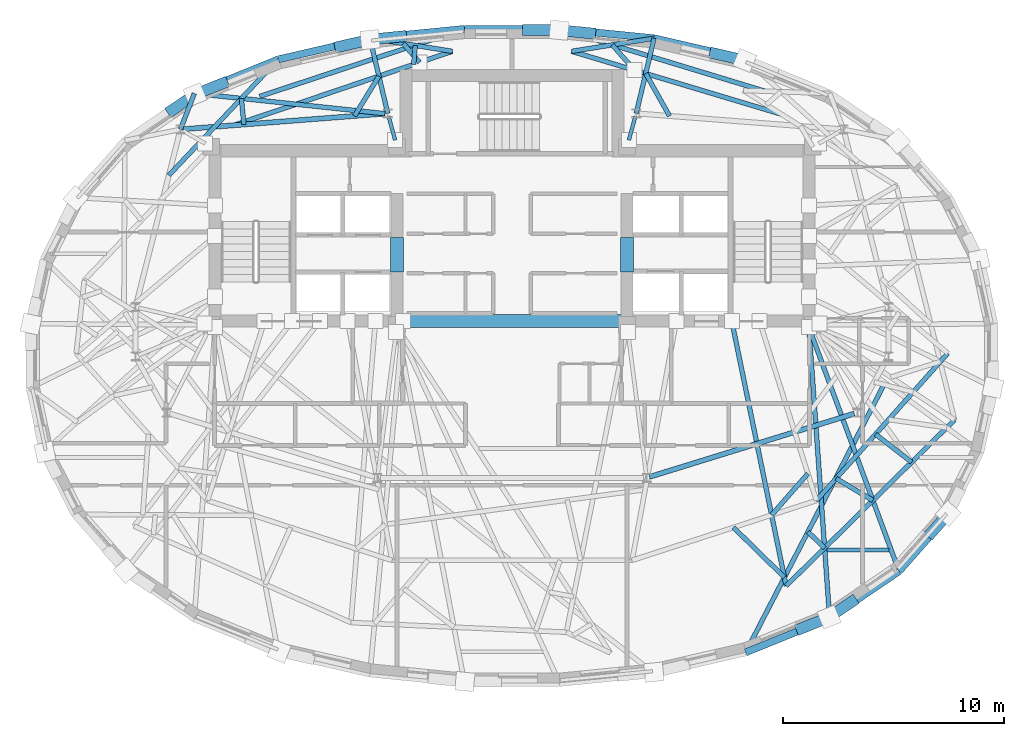
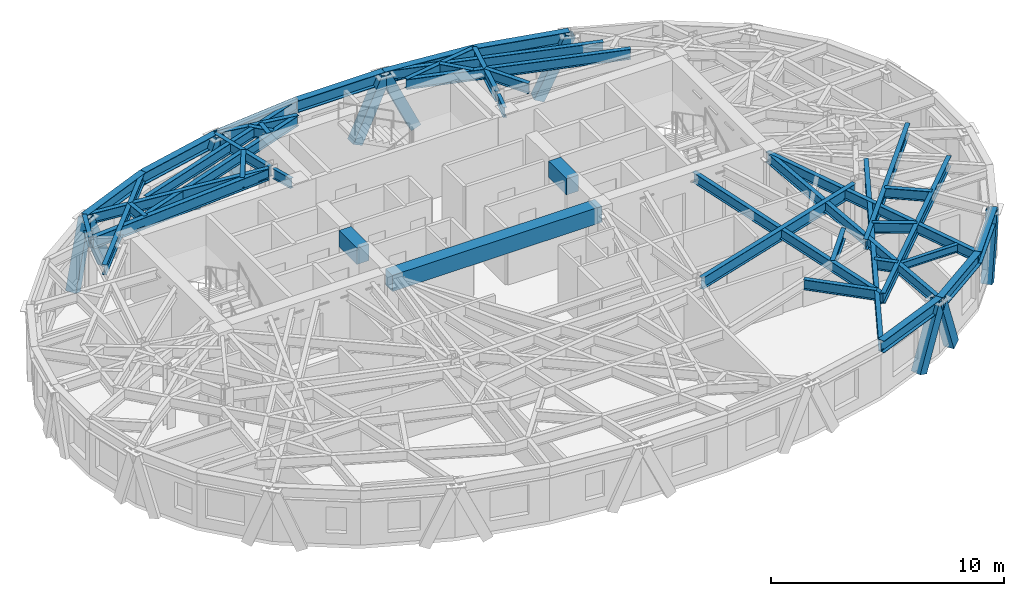
# One storey, part 3 of 13: 45 beams, 10 members.
"""IFC4 building model written with IfcOpenShell, lengths in metres."""

from ifc_helpers import new_model, si_unit, direction, frame, origin, origin_2d, place, context, subcontext, project, spatial, rectangle, hollow_rectangle, i_section, extrude, material, material_profile, profile_set, type_object, element, save


model = new_model("IFC4")

# Units and contexts
model_context = context("Model", 3, precision=1e-05, world=origin(), true_north=direction((0.0, 1.0)))
body_context = subcontext(model_context, "Body", "Model", "MODEL_VIEW")
ifc_project = project(units=[si_unit("LENGTHUNIT", "METRE"), si_unit("AREAUNIT", "SQUARE_METRE"), si_unit("VOLUMEUNIT", "CUBIC_METRE"), si_unit("PLANEANGLEUNIT", "RADIAN"), si_unit("MASSUNIT", "GRAM", prefix="KILO")], contexts=[model_context])

# Site, building, storey
site_placement = place(None, origin())
site = spatial("IfcSite", under=ifc_project, at=site_placement, CompositionType="ELEMENT")
building_placement = place(site_placement, origin())
building = spatial("IfcBuilding", under=site, at=building_placement, Name="Keldmark Tower", CompositionType="ELEMENT")
storey_placement = place(building_placement, frame((0.0, 0.0, 241.5)))
storey = spatial("IfcBuildingStorey", under=building, at=storey_placement, Name="L68", CompositionType="ELEMENT", Elevation=241.5)

# Beams
ifc_material_1 = material(Name="Steel ASTM A992 Grade 50", Category="steel")
ifc_material_profile_1 = material_profile(ifc_material_1, i_section(OverallWidth=0.177978515625, OverallDepth=0.403076171875, WebThickness=0.007568359375, FlangeThickness=0.010986328125, at=origin_2d()), Name="W16X36")
ifc_profile_set_1 = profile_set([ifc_material_profile_1], Name="Steel ASTM A992 Grade 50")
beam_type_1 = type_object("IfcBeamType", Name="Composite Floor Joist W16X36", PredefinedType="JOIST", material=ifc_profile_set_1)
beam_1_placement = place(storey_placement, frame((14.241455078125, -8.780029296875, 2.7685546875), z_axis=(1.0, 0.0, 0.0), x_axis=(0.0, 1.0, 0.0)))
element("IfcBeam", 1, at=beam_1_placement, inside=storey, type_object=beam_type_1, Name="L68 Composite Floor Joist J02", PredefinedType="JOIST", context=body_context, shape_type="SweptSolid", body=[
    extrude(i_section(OverallWidth=0.177978515625, OverallDepth=0.403076171875, WebThickness=0.007568359375, FlangeThickness=0.010986328125, at=origin_2d()), origin(), (0.0, 0.0, 1.0), 2.805419921875),
])
ifc_material_2 = material(Name="Concrete C50/60", Category="concrete")
ifc_material_profile_2 = material_profile(ifc_material_2, rectangle(XDim=0.60009765625, YDim=0.85009765625, at=origin_2d()), Name="RCB600X850")
ifc_profile_set_2 = profile_set([ifc_material_profile_2], Name="Concrete C50/60")
beam_type_2 = type_object("IfcBeamType", Name="Core Coupling Beam RCB600X850", PredefinedType="USERDEFINED", material=ifc_profile_set_2)
for number, where, z_axis, x_axis, name in (
    (2, (-5.199951171875, 3.800048828125, 2.544921875), (0.0, 1.0, 0.0), (-1.0, 0.0, 0.0), "L68 West Core Coupling Beam"),
    (3, (5.199951171875, 3.800048828125, 2.544921875), (0.0, 1.0, 0.0), (-1.0, 0.0, 0.0), "L68 East Core Coupling Beam"),
):
    element("IfcBeam", number, at=place(storey_placement, frame(where, z_axis=z_axis, x_axis=x_axis)), inside=storey, type_object=beam_type_2, Name=name, ObjectType="COUPLING BEAM", PredefinedType="USERDEFINED", context=body_context, shape_type="SweptSolid", body=[
        extrude(rectangle(XDim=0.60009765625, YDim=0.85009765625, at=origin_2d()), origin(), (0.0, 0.0, 1.0), 1.550048828125),
    ])
beam_2_placement = place(storey_placement, frame((-5.199951171875, 1.574951171875, 2.544921875), z_axis=(1.0, 0.0, 0.0), x_axis=(0.0, 1.0, 0.0)))
element("IfcBeam", 4, at=beam_2_placement, inside=storey, type_object=beam_type_2, Name="L68 Central South Core Coupling Beam", ObjectType="COUPLING BEAM", PredefinedType="USERDEFINED", context=body_context, shape_type="SweptSolid", body=[
    extrude(rectangle(XDim=0.60009765625, YDim=0.85009765625, at=origin_2d()), origin(), (0.0, 0.0, 1.0), 10.39990234375),
])

# Members
ifc_material_3 = material(Name="Steel ASTM A572 Grade 50", Category="steel")
ifc_material_profile_3 = material_profile(ifc_material_3, hollow_rectangle(XDim=0.5, YDim=0.5, WallThickness=0.030029296875, at=origin_2d()), Name="BOX500X500X30")
ifc_profile_set_3 = profile_set([ifc_material_profile_3], Name="Steel ASTM A572 Grade 50")
member_type = type_object("IfcMemberType", Name="Diagrid Upper Brace BOX500X500X30", PredefinedType="BRACE", material=ifc_profile_set_3)
member_1_placement = place(storey_placement, frame((9.160400390625, 13.6748046875, -0.260009765625), z_axis=(0.4040850409, -0.09321742591, 0.909959225036), x_axis=(0.224784026434, 0.974408611138, 0.0)))
element("IfcMember", 5, at=member_1_placement, inside=storey, type_object=member_type, Name="L68 Perimeter Diagrid Brace 03B", PredefinedType="BRACE", context=body_context, shape_type="SweptSolid", body=[
    extrude(hollow_rectangle(XDim=0.5, YDim=0.5, WallThickness=0.030029296875, at=origin_2d()), origin(), (0.0, 0.0, 1.0), 3.41796875),
])
member_2_placement = place(storey_placement, frame((3.556640625, 14.590087890625, -0.260009765625), z_axis=(-0.416434580065, 0.041279853083, 0.908228062909), x_axis=(-0.09864340487, -0.995122846022, 0.0)))
element("IfcMember", 6, at=member_2_placement, inside=storey, type_object=member_type, Name="L68 Perimeter Diagrid Brace 04A", PredefinedType="BRACE", context=body_context, shape_type="SweptSolid", body=[
    extrude(hollow_rectangle(XDim=0.5, YDim=0.5, WallThickness=0.030029296875, at=origin_2d()), origin(), (0.0, 0.0, 1.0), 3.42431640625),
])
member_3_placement = place(storey_placement, frame((0.710205078125, 14.72900390625, -0.260009765625), z_axis=(0.418203376234, 0.0, 0.908353420264), x_axis=(0.0, 1.0, 0.0)))
element("IfcMember", 7, at=member_3_placement, inside=storey, type_object=member_type, Name="L68 Perimeter Diagrid Brace 04B", PredefinedType="BRACE", context=body_context, shape_type="SweptSolid", body=[
    extrude(hollow_rectangle(XDim=0.5, YDim=0.5, WallThickness=0.030029296875, at=origin_2d()), origin(), (0.0, 0.0, 1.0), 3.423828125),
])
member_4_placement = place(storey_placement, frame((-4.994140625, 14.446533203125, -0.260009765625), z_axis=(-0.416494733326, -0.041207455642, 0.908203767175), x_axis=(0.098457996907, -0.99514120749, 0.0)))
element("IfcMember", 8, at=member_4_placement, inside=storey, type_object=member_type, Name="L68 Perimeter Diagrid Brace 05A", PredefinedType="BRACE", context=body_context, shape_type="SweptSolid", body=[
    extrude(hollow_rectangle(XDim=0.5, YDim=0.5, WallThickness=0.030029296875, at=origin_2d()), origin(), (0.0, 0.0, 1.0), 3.424560546875),
])
member_5_placement = place(storey_placement, frame((-7.7900390625, 13.989013671875, -0.260009765625), z_axis=(0.404144805703, 0.093214735144, 0.909932958616), x_axis=(-0.224746304795, 0.974417312285, 0.0)))
element("IfcMember", 9, at=member_5_placement, inside=storey, type_object=member_type, Name="L68 Perimeter Diagrid Brace 05B", PredefinedType="BRACE", context=body_context, shape_type="SweptSolid", body=[
    extrude(hollow_rectangle(XDim=0.5, YDim=0.5, WallThickness=0.030029296875, at=origin_2d()), origin(), (0.0, 0.0, 1.0), 3.41796875),
])
member_6_placement = place(storey_placement, frame((-13.072265625, 12.330078125, -0.260009765625), z_axis=(-0.372540603829, -0.151014433464, 0.915646296003), x_axis=(0.37567190483, -0.926752728575, 0.0)))
element("IfcMember", 10, at=member_6_placement, inside=storey, type_object=member_type, Name="L68 Perimeter Diagrid Brace 06A", PredefinedType="BRACE", context=body_context, shape_type="SweptSolid", body=[
    extrude(hollow_rectangle(XDim=0.5, YDim=0.5, WallThickness=0.030029296875, at=origin_2d()), origin(), (0.0, 0.0, 1.0), 3.396728515625),
])
member_7_placement = place(storey_placement, frame((-15.3740234375, 11.114013671875, -0.260009765625), z_axis=(0.311615199657, 0.211331101564, 0.926409808268), x_axis=(-0.561279407881, 0.827626380856, 0.0)))
element("IfcMember", 11, at=member_7_placement, inside=storey, type_object=member_type, Name="L68 Perimeter Diagrid Brace 06B", PredefinedType="BRACE", context=body_context, shape_type="SweptSolid", body=[
    extrude(hollow_rectangle(XDim=0.5, YDim=0.5, WallThickness=0.030029296875, at=origin_2d()), origin(), (0.0, 0.0, 1.0), 3.357177734375),
])
member_8_placement = place(storey_placement, frame((13.072265625, -12.330078125, -0.260009765625), z_axis=(0.372540603829, 0.151014433464, 0.915646296003), x_axis=(-0.37567190483, 0.926752728575, 0.0)))
element("IfcMember", 12, at=member_8_placement, inside=storey, type_object=member_type, Name="L68 Perimeter Diagrid Brace 14A", PredefinedType="BRACE", context=body_context, shape_type="SweptSolid", body=[
    extrude(hollow_rectangle(XDim=0.5, YDim=0.5, WallThickness=0.030029296875, at=origin_2d()), origin(), (0.0, 0.0, 1.0), 3.396728515625),
])
member_9_placement = place(storey_placement, frame((15.3740234375, -11.114013671875, -0.260009765625), z_axis=(-0.311615199657, -0.211331101564, 0.926409808268), x_axis=(0.561279407881, -0.827626380856, 0.0)))
element("IfcMember", 13, at=member_9_placement, inside=storey, type_object=member_type, Name="L68 Perimeter Diagrid Brace 14B", PredefinedType="BRACE", context=body_context, shape_type="SweptSolid", body=[
    extrude(hollow_rectangle(XDim=0.5, YDim=0.5, WallThickness=0.030029296875, at=origin_2d()), origin(), (0.0, 0.0, 1.0), 3.357177734375),
])
member_10_placement = place(storey_placement, frame((18.9716796875, -7.9873046875, -0.260009765625), z_axis=(0.228311749469, 0.258959599672, 0.938516739751), x_axis=(-0.750099356508, 0.661325151016, 0.0)))
element("IfcMember", 14, at=member_10_placement, inside=storey, type_object=member_type, Name="L68 Perimeter Diagrid Brace 15A", PredefinedType="BRACE", context=body_context, shape_type="SweptSolid", body=[
    extrude(hollow_rectangle(XDim=0.5, YDim=0.5, WallThickness=0.030029296875, at=origin_2d()), origin(), (0.0, 0.0, 1.0), 3.31396484375),
])

# Beams
ifc_material_4 = material(Name="Steel ASTM A992 Grade 50", Category="steel")
ifc_material_profile_4 = material_profile(ifc_material_4, i_section(OverallWidth=0.22802734375, OverallDepth=0.60302734375, WebThickness=0.010498046875, FlangeThickness=0.014892578125, at=origin_2d()), Name="W24X68")
ifc_profile_set_4 = profile_set([ifc_material_profile_4], Name="Steel ASTM A992 Grade 50")
beam_type_3 = type_object("IfcBeamType", Name="Primary Floor Girder W24X68", PredefinedType="BEAM", material=ifc_profile_set_4)
beam_3_placement = place(storey_placement, frame((-5.75830078125, 10.956298828125, 2.66845703125), z_axis=(-0.997037147832, -0.076921556421, 0.0), x_axis=(0.076921556421, -0.997037147832, 0.0)))
element("IfcBeam", 15, at=beam_3_placement, inside=storey, type_object=beam_type_3, Name="L68 Floor Ring Girder FG-R04", PredefinedType="BEAM", context=body_context, shape_type="SweptSolid", body=[
    extrude(i_section(OverallWidth=0.22802734375, OverallDepth=0.60302734375, WebThickness=0.010498046875, FlangeThickness=0.014892578125, at=origin_2d()), origin(), (0.0, 0.0, 1.0), 9.125),
])
beam_4_placement = place(storey_placement, frame((6.223388671875, -5.471435546875, 2.66845703125), z_axis=(0.955383255089, 0.295368982622, 0.0), x_axis=(-0.295368982622, 0.955383255089, 0.0)))
element("IfcBeam", 16, at=beam_4_placement, inside=storey, type_object=beam_type_3, Name="L68 Floor Ring Girder FG-R10", PredefinedType="BEAM", context=body_context, shape_type="SweptSolid", body=[
    extrude(i_section(OverallWidth=0.22802734375, OverallDepth=0.60302734375, WebThickness=0.010498046875, FlangeThickness=0.014892578125, at=origin_2d()), origin(), (0.0, 0.0, 1.0), 9.69140625),
])
ifc_material_5 = material(Name="Steel ASTM A992 Grade 50", Category="steel")
ifc_material_profile_5 = material_profile(ifc_material_5, i_section(OverallWidth=0.166015625, OverallDepth=0.529052734375, WebThickness=0.009765625, FlangeThickness=0.013671875, at=origin_2d()), Name="W21X50")
ifc_profile_set_5 = profile_set([ifc_material_profile_5], Name="Steel ASTM A992 Grade 50")
beam_type_4 = type_object("IfcBeamType", Name="Radial Tie Girder W21X50", PredefinedType="BEAM", material=ifc_profile_set_5)
for number, where, z_axis, x_axis, name in (
    (17, (5.581298828125, 10.83203125, 2.70556640625), (-0.265936023434, -0.963990680163, 0.0), (0.963990680163, -0.265936023434, 0.0), "L68 Floor Radial Girder FG-C03"),
    (18, (-5.581298828125, 10.83203125, 2.70556640625), (0.265936023434, -0.963990680163, 0.0), (0.963990680163, 0.265936023434, 0.0), "L68 Floor Radial Girder FG-C04"),
):
    element("IfcBeam", number, at=place(storey_placement, frame(where, z_axis=z_axis, x_axis=x_axis)), inside=storey, type_object=beam_type_4, Name=name, PredefinedType="BEAM", context=body_context, shape_type="SweptSolid", body=[
        extrude(i_section(OverallWidth=0.166015625, OverallDepth=0.529052734375, WebThickness=0.009765625, FlangeThickness=0.013671875, at=origin_2d()), origin(), (0.0, 0.0, 1.0), 1.113525390625),
    ])
ifc_material_6 = material(Name="Steel ASTM A992 Grade 50", Category="steel")
ifc_material_profile_6 = material_profile(ifc_material_6, i_section(OverallWidth=0.2099609375, OverallDepth=0.537109375, WebThickness=0.010986328125, FlangeThickness=0.017333984375, at=origin_2d()), Name="W21X68")
ifc_profile_set_6 = profile_set([ifc_material_profile_6], Name="Steel ASTM A992 Grade 50")
beam_type_5 = type_object("IfcBeamType", Name="Radial Tie Girder W21X68", PredefinedType="BEAM", material=ifc_profile_set_6)
beam_5_placement = place(storey_placement, frame((13.76708984375, -6.541015625, 2.701416015625), z_axis=(0.665753182489, 0.746172031107, 0.0), x_axis=(-0.746172031107, 0.665753182489, 0.0)))
element("IfcBeam", 19, at=beam_5_placement, inside=storey, type_object=beam_type_5, Name="L68 Perimeter Collector Ring Beam CRG1-M11", PredefinedType="BEAM", context=body_context, shape_type="SweptSolid", body=[
    extrude(i_section(OverallWidth=0.2099609375, OverallDepth=0.537109375, WebThickness=0.010986328125, FlangeThickness=0.017333984375, at=origin_2d()), origin(), (0.0, 0.0, 1.0), 8.925537109375),
])
beam_6_placement = place(storey_placement, frame((13.381103515625, -5.323486328125, 2.701416015625), z_axis=(-0.658386631261, -0.752679907913, 0.0), x_axis=(0.752679907913, -0.658386631261, 0.0)))
element("IfcBeam", 20, at=beam_6_placement, inside=storey, type_object=beam_type_5, Name="L68 Framing Pin Header PH-011", PredefinedType="BEAM", context=body_context, shape_type="SweptSolid", body=[
    extrude(i_section(OverallWidth=0.2099609375, OverallDepth=0.537109375, WebThickness=0.010986328125, FlangeThickness=0.017333984375, at=origin_2d()), origin(), (0.0, 0.0, 1.0), 2.49072265625),
])
beam_7_placement = place(storey_placement, frame((9.939208984375, 1.574951171875, 2.701416015625), z_axis=(0.201216820999, -0.979546727291, 0.0), x_axis=(0.979546727291, 0.201216820999, 0.0)))
element("IfcBeam", 21, at=beam_7_placement, inside=storey, type_object=beam_type_5, Name="L68 Sub-Ring Step Girder STP2-M11", PredefinedType="BEAM", context=body_context, shape_type="SweptSolid", body=[
    extrude(i_section(OverallWidth=0.2099609375, OverallDepth=0.537109375, WebThickness=0.010986328125, FlangeThickness=0.017333984375, at=origin_2d()), origin(), (0.0, 0.0, 1.0), 12.2265625),
])
beam_8_placement = place(storey_placement, frame((12.3994140625, -10.401611328125, 2.701416015625), z_axis=(0.712109920775, 0.702067988683, 0.0), x_axis=(-0.702067988683, 0.712109920775, 0.0)))
element("IfcBeam", 22, at=beam_8_placement, inside=storey, type_object=beam_type_5, Name="L68 Perimeter Collector Ring Beam CRG2-M11", PredefinedType="BEAM", context=body_context, shape_type="SweptSolid", body=[
    extrude(i_section(OverallWidth=0.2099609375, OverallDepth=0.537109375, WebThickness=0.010986328125, FlangeThickness=0.017333984375, at=origin_2d()), origin(), (0.0, 0.0, 1.0), 10.697265625),
])
for number, where, z_axis, x_axis, name in (
    (23, (5.61865234375, 10.967041015625, 2.701416015625), (0.231236197602, 0.972897641542, 0.0), (-0.972897641542, 0.231236197602, 0.0), "L68 Perimeter Column Bracket RT-07"),
    (24, (-5.61865234375, 10.967041015625, 2.701416015625), (-0.231236197602, 0.972897641542, 0.0), (-0.972897641542, -0.231236197602, 0.0), "L68 Perimeter Column Bracket RT-10"),
):
    element("IfcBeam", number, at=place(storey_placement, frame(where, z_axis=z_axis, x_axis=x_axis)), inside=storey, type_object=beam_type_5, Name=name, PredefinedType="BEAM", context=body_context, shape_type="SweptSolid", body=[
        extrude(i_section(OverallWidth=0.2099609375, OverallDepth=0.537109375, WebThickness=0.010986328125, FlangeThickness=0.017333984375, at=origin_2d()), origin(), (0.0, 0.0, 1.0), 3.49267578125),
    ])
beam_9_placement = place(storey_placement, frame((-14.995849609375, 10.24365234375, 2.701416015625), z_axis=(0.361135466813, 0.932513364306, 0.0), x_axis=(-0.932513364306, 0.361135466813, 0.0)))
element("IfcBeam", 25, at=beam_9_placement, inside=storey, type_object=beam_type_5, Name="L68 Perimeter Column Bracket RT-12", PredefinedType="BEAM", context=body_context, shape_type="SweptSolid", body=[
    extrude(i_section(OverallWidth=0.2099609375, OverallDepth=0.537109375, WebThickness=0.010986328125, FlangeThickness=0.017333984375, at=origin_2d()), origin(), (0.0, 0.0, 1.0), 1.744140625),
])
beam_10_placement = place(storey_placement, frame((10.015869140625, -7.758056640625, 2.701416015625), z_axis=(0.713993507616, -0.700152319915, 0.0), x_axis=(0.700152319915, 0.713993507616, 0.0)))
element("IfcBeam", 26, at=beam_10_placement, inside=storey, type_object=beam_type_5, Name="L68 Framing Pin Header PH-032", PredefinedType="BEAM", context=body_context, shape_type="SweptSolid", body=[
    extrude(i_section(OverallWidth=0.2099609375, OverallDepth=0.537109375, WebThickness=0.010986328125, FlangeThickness=0.017333984375, at=origin_2d()), origin(), (0.0, 0.0, 1.0), 3.227783203125),
])
beam_11_placement = place(storey_placement, frame((16.823974609375, -1.294921875, 2.701416015625), z_axis=(-0.45873734007, -0.888571917644, 0.0), x_axis=(0.888571917644, -0.45873734007, 0.0)))
element("IfcBeam", 27, at=beam_11_placement, inside=storey, type_object=beam_type_5, Name="L68 Perimeter Radial Tie Girder RT-27", PredefinedType="BEAM", context=body_context, shape_type="SweptSolid", body=[
    extrude(i_section(OverallWidth=0.2099609375, OverallDepth=0.537109375, WebThickness=0.010986328125, FlangeThickness=0.017333984375, at=origin_2d()), origin(), (0.0, 0.0, 1.0), 13.63330078125),
])
beam_12_placement = place(storey_placement, frame((13.38427734375, -7.957763671875, 2.701416015625), z_axis=(0.718875949313, -0.695138381547, 0.0), x_axis=(0.695138381547, 0.718875949313, 0.0)))
element("IfcBeam", 28, at=beam_12_placement, inside=storey, type_object=beam_type_5, Name="L68 Framing Pin Header PH-033", PredefinedType="BEAM", context=body_context, shape_type="SweptSolid", body=[
    extrude(i_section(OverallWidth=0.2099609375, OverallDepth=0.537109375, WebThickness=0.010986328125, FlangeThickness=0.017333984375, at=origin_2d()), origin(), (0.0, 0.0, 1.0), 1.049072265625),
])
beam_13_placement = place(storey_placement, frame((13.425048828125, 1.300048828125, 2.701416015625), z_axis=(0.071261504304, -0.997457667274, 0.0), x_axis=(0.997457667274, 0.071261504304, 0.0)))
element("IfcBeam", 29, at=beam_13_placement, inside=storey, type_object=beam_type_5, Name="L68 Perimeter Radial Tie Girder RT-28", PredefinedType="BEAM", context=body_context, shape_type="SweptSolid", body=[
    extrude(i_section(OverallWidth=0.2099609375, OverallDepth=0.537109375, WebThickness=0.010986328125, FlangeThickness=0.017333984375, at=origin_2d()), origin(), (0.0, 0.0, 1.0), 13.20361328125),
])
beam_14_placement = place(storey_placement, frame((14.658447265625, -5.5419921875, 2.701416015625), z_axis=(0.858226282888, -0.51327151427, 0.0), x_axis=(0.51327151427, 0.858226282888, 0.0)))
element("IfcBeam", 30, at=beam_14_placement, inside=storey, type_object=beam_type_5, Name="L68 Framing Pin Header PH-034", PredefinedType="BEAM", context=body_context, shape_type="SweptSolid", body=[
    extrude(i_section(OverallWidth=0.2099609375, OverallDepth=0.537109375, WebThickness=0.010986328125, FlangeThickness=0.017333984375, at=origin_2d()), origin(), (0.0, 0.0, 1.0), 1.936279296875),
])
beam_15_placement = place(storey_placement, frame((13.425048828125, 1.300048828125, 2.701416015625), z_axis=(0.346596188863, -0.938014435851, 0.0), x_axis=(0.938014435851, 0.346596188863, 0.0)))
element("IfcBeam", 31, at=beam_15_placement, inside=storey, type_object=beam_type_5, Name="L68 Perimeter Radial Tie Girder RT-29", PredefinedType="BEAM", context=body_context, shape_type="SweptSolid", body=[
    extrude(i_section(OverallWidth=0.2099609375, OverallDepth=0.537109375, WebThickness=0.010986328125, FlangeThickness=0.017333984375, at=origin_2d()), origin(), (0.0, 0.0, 1.0), 11.771240234375),
])
beam_16_placement = place(storey_placement, frame((16.441162109375, -3.5439453125, 2.701416015625), z_axis=(0.790897277524, -0.611948932841, 0.0), x_axis=(0.611948932841, 0.790897277524, 0.0)))
element("IfcBeam", 32, at=beam_16_placement, inside=storey, type_object=beam_type_5, Name="L68 Framing Pin Header PH-035", PredefinedType="BEAM", context=body_context, shape_type="SweptSolid", body=[
    extrude(i_section(OverallWidth=0.2099609375, OverallDepth=0.537109375, WebThickness=0.010986328125, FlangeThickness=0.017333984375, at=origin_2d()), origin(), (0.0, 0.0, 1.0), 2.064208984375),
])
beam_17_placement = place(storey_placement, frame((7.122802734375, 10.85107421875, 2.701416015625), z_axis=(-0.489069746044, 0.872244680984, 0.0), x_axis=(-0.872244680984, -0.489069746044, 0.0)))
element("IfcBeam", 33, at=beam_17_placement, inside=storey, type_object=beam_type_5, Name="L68 Framing Pin Header PH-038", PredefinedType="BEAM", context=body_context, shape_type="SweptSolid", body=[
    extrude(i_section(OverallWidth=0.2099609375, OverallDepth=0.537109375, WebThickness=0.010986328125, FlangeThickness=0.017333984375, at=origin_2d()), origin(), (0.0, 0.0, 1.0), 2.199462890625),
])
beam_18_placement = place(storey_placement, frame((12.191650390625, 10.92626953125, 2.701416015625), z_axis=(-0.957831708563, 0.287329807139, 0.0), x_axis=(-0.287329807139, -0.957831708563, 0.0)))
element("IfcBeam", 34, at=beam_18_placement, inside=storey, type_object=beam_type_5, Name="L68 Crown Step Radial Girder RT-08RN2", PredefinedType="BEAM", context=body_context, shape_type="SweptSolid", body=[
    extrude(i_section(OverallWidth=0.2099609375, OverallDepth=0.537109375, WebThickness=0.010986328125, FlangeThickness=0.017333984375, at=origin_2d()), origin(), (0.0, 0.0, 1.0), 9.91162109375),
])
beam_19_placement = place(storey_placement, frame((2.697998046875, 13.774169921875, 2.701416015625), z_axis=(0.987675234095, 0.156517193799, 0.0), x_axis=(-0.156517193799, 0.987675234095, 0.0)))
element("IfcBeam", 35, at=beam_19_placement, inside=storey, type_object=beam_type_5, Name="L68 Crown Step Collector Chord RT-08RP2", PredefinedType="BEAM", context=body_context, shape_type="SweptSolid", body=[
    extrude(i_section(OverallWidth=0.2099609375, OverallDepth=0.537109375, WebThickness=0.010986328125, FlangeThickness=0.017333984375, at=origin_2d()), origin(), (0.0, 0.0, 1.0), 3.77490234375),
])
beam_20_placement = place(storey_placement, frame((5.546142578125, 12.919921875, 2.701416015625), z_axis=(-0.662239510471, 0.749292219879, 0.0), x_axis=(-0.749292219879, -0.662239510471, 0.0)))
element("IfcBeam", 36, at=beam_20_placement, inside=storey, type_object=beam_type_5, Name="L68 Framing Pin Header PH-039", PredefinedType="BEAM", context=body_context, shape_type="SweptSolid", body=[
    extrude(i_section(OverallWidth=0.2099609375, OverallDepth=0.537109375, WebThickness=0.010986328125, FlangeThickness=0.017333984375, at=origin_2d()), origin(), (0.0, 0.0, 1.0), 1.528564453125),
])
beam_21_placement = place(storey_placement, frame((11.4375, 11.9716796875, 2.701416015625), z_axis=(-0.956963676177, 0.290207722981, 0.0), x_axis=(-0.290207722981, -0.956963676177, 0.0)))
element("IfcBeam", 37, at=beam_21_placement, inside=storey, type_object=beam_type_5, Name="L68 Perimeter Radial Tie Girder RT-08R", PredefinedType="BEAM", context=body_context, shape_type="SweptSolid", body=[
    extrude(i_section(OverallWidth=0.2099609375, OverallDepth=0.537109375, WebThickness=0.010986328125, FlangeThickness=0.017333984375, at=origin_2d()), origin(), (0.0, 0.0, 1.0), 9.707275390625),
])
beam_22_placement = place(storey_placement, frame((-7.122802734375, 10.85107421875, 2.701416015625), z_axis=(0.522922663545, 0.852380131134, 0.0), x_axis=(-0.852380131134, 0.522922663545, 0.0)))
element("IfcBeam", 38, at=beam_22_placement, inside=storey, type_object=beam_type_5, Name="L68 Framing Pin Header PH-040", PredefinedType="BEAM", context=body_context, shape_type="SweptSolid", body=[
    extrude(i_section(OverallWidth=0.2099609375, OverallDepth=0.537109375, WebThickness=0.010986328125, FlangeThickness=0.017333984375, at=origin_2d()), origin(), (0.0, 0.0, 1.0), 2.111328125),
])
beam_23_placement = place(storey_placement, frame((-12.581787109375, 10.429931640625, 2.701416015625), z_axis=(0.94724635445, 0.320506386801, 0.0), x_axis=(-0.320506386801, 0.94724635445, 0.0)))
element("IfcBeam", 39, at=beam_23_placement, inside=storey, type_object=beam_type_5, Name="L68 Crown Step Radial Girder RT-09RN1", PredefinedType="BEAM", context=body_context, shape_type="SweptSolid", body=[
    extrude(i_section(OverallWidth=0.2099609375, OverallDepth=0.537109375, WebThickness=0.010986328125, FlangeThickness=0.017333984375, at=origin_2d()), origin(), (0.0, 0.0, 1.0), 10.434326171875),
])
beam_24_placement = place(storey_placement, frame((-2.697998046875, 13.774169921875, 2.701416015625), z_axis=(-0.987675234095, 0.156517193799, 0.0), x_axis=(-0.156517193799, -0.987675234095, 0.0)))
element("IfcBeam", 40, at=beam_24_placement, inside=storey, type_object=beam_type_5, Name="L68 Crown Step Collector Chord RT-09RP1", PredefinedType="BEAM", context=body_context, shape_type="SweptSolid", body=[
    extrude(i_section(OverallWidth=0.2099609375, OverallDepth=0.537109375, WebThickness=0.010986328125, FlangeThickness=0.017333984375, at=origin_2d()), origin(), (0.0, 0.0, 1.0), 3.77490234375),
])
beam_25_placement = place(storey_placement, frame((-4.1806640625, 13.272705078125, 2.701416015625), z_axis=(-0.654840027108, 0.755767516434, 0.0), x_axis=(-0.755767516434, -0.654840027108, 0.0)))
element("IfcBeam", 41, at=beam_25_placement, inside=storey, type_object=beam_type_5, Name="L68 Framing Pin Header PH-041", PredefinedType="BEAM", context=body_context, shape_type="SweptSolid", body=[
    extrude(i_section(OverallWidth=0.2099609375, OverallDepth=0.537109375, WebThickness=0.010986328125, FlangeThickness=0.017333984375, at=origin_2d()), origin(), (0.0, 0.0, 1.0), 1.129638671875),
])
beam_26_placement = place(storey_placement, frame((-4.375732421875, 14.0400390625, 2.701416015625), z_axis=(-0.082293949072, -0.996608100482, 0.0), x_axis=(0.996608100482, -0.082293949072, 0.0)))
element("IfcBeam", 42, at=beam_26_placement, inside=storey, type_object=beam_type_5, Name="L68 Framing Pin Header PH-042", PredefinedType="BEAM", context=body_context, shape_type="SweptSolid", body=[
    extrude(i_section(OverallWidth=0.2099609375, OverallDepth=0.537109375, WebThickness=0.010986328125, FlangeThickness=0.017333984375, at=origin_2d()), origin(), (0.0, 0.0, 1.0), 0.8603515625),
])
beam_27_placement = place(storey_placement, frame((-11.41015625, 11.736083984375, 2.701416015625), z_axis=(0.949744356652, 0.313026607506, 0.0), x_axis=(-0.313026607506, 0.949744356652, 0.0)))
element("IfcBeam", 43, at=beam_27_placement, inside=storey, type_object=beam_type_5, Name="L68 Perimeter Radial Tie Girder RT-09R", PredefinedType="BEAM", context=body_context, shape_type="SweptSolid", body=[
    extrude(i_section(OverallWidth=0.2099609375, OverallDepth=0.537109375, WebThickness=0.010986328125, FlangeThickness=0.017333984375, at=origin_2d()), origin(), (0.0, 0.0, 1.0), 9.752197265625),
])
beam_28_placement = place(storey_placement, frame((-5.75830078125, 10.956298828125, 2.701416015625), z_axis=(-0.994411867559, 0.105570060421, 0.0), x_axis=(-0.105570060421, -0.994411867559, 0.0)))
element("IfcBeam", 44, at=beam_28_placement, inside=storey, type_object=beam_type_5, Name="L68 Straddling Support Chord RT-11RB", PredefinedType="BEAM", context=body_context, shape_type="SweptSolid", body=[
    extrude(i_section(OverallWidth=0.2099609375, OverallDepth=0.537109375, WebThickness=0.010986328125, FlangeThickness=0.017333984375, at=origin_2d()), origin(), (0.0, 0.0, 1.0), 8.656005859375),
])
beam_29_placement = place(storey_placement, frame((-12.126708984375, 10.465087890625, 2.701416015625), z_axis=(-0.092989410044, 0.995667097789, 0.0), x_axis=(-0.995667097789, -0.092989410044, 0.0)))
element("IfcBeam", 45, at=beam_29_placement, inside=storey, type_object=beam_type_5, Name="L68 Framing Pin Header PH-043", PredefinedType="BEAM", context=body_context, shape_type="SweptSolid", body=[
    extrude(i_section(OverallWidth=0.2099609375, OverallDepth=0.537109375, WebThickness=0.010986328125, FlangeThickness=0.017333984375, at=origin_2d()), origin(), (0.0, 0.0, 1.0), 1.18408203125),
])
beam_30_placement = place(storey_placement, frame((-15.5205078125, 8.1669921875, 2.701416015625), z_axis=(0.686603647825, 0.727031932444, 0.0), x_axis=(-0.727031932444, 0.686603647825, 0.0)))
element("IfcBeam", 46, at=beam_30_placement, inside=storey, type_object=beam_type_5, Name="L68 Perimeter Radial Tie Girder RT-11R", PredefinedType="BEAM", context=body_context, shape_type="SweptSolid", body=[
    extrude(i_section(OverallWidth=0.2099609375, OverallDepth=0.537109375, WebThickness=0.010986328125, FlangeThickness=0.017333984375, at=origin_2d()), origin(), (0.0, 0.0, 1.0), 7.21044921875),
])
ifc_material_7 = material(Name="Steel ASTM A992 Grade 50", Category="steel")
ifc_material_profile_7 = material_profile(ifc_material_7, i_section(OverallWidth=0.326904296875, OverallDepth=0.6220703125, WebThickness=0.015380859375, FlangeThickness=0.0244140625, at=origin_2d()), Name="W24X131")
ifc_profile_set_7 = profile_set([ifc_material_profile_7], Name="Steel ASTM A992 Grade 50")
beam_type_6 = type_object("IfcBeamType", Name="Spandrel Ring Beam W24X131", PredefinedType="SPANDREL", material=ifc_profile_set_7)
beam_31_placement = place(storey_placement, frame((10.56982421875, 13.4091796875, 2.658935546875), z_axis=(-0.974411512007, 0.224771451185, 0.0), x_axis=(-0.224771451185, -0.974411512007, 0.0)))
element("IfcBeam", 47, at=beam_31_placement, inside=storey, type_object=beam_type_6, Name="L68 Perimeter Spandrel Ring Beam SRB-06", PredefinedType="SPANDREL", context=body_context, shape_type="SweptSolid", body=[
    extrude(i_section(OverallWidth=0.326904296875, OverallDepth=0.6220703125, WebThickness=0.015380859375, FlangeThickness=0.0244140625, at=origin_2d()), origin(), (0.0, 0.0, 1.0), 4.25244140625),
])
beam_32_placement = place(storey_placement, frame((6.42626953125, 14.364990234375, 2.658935546875), z_axis=(-0.995128970973, 0.098581596303, 0.0), x_axis=(-0.098581596303, -0.995128970973, 0.0)))
element("IfcBeam", 48, at=beam_32_placement, inside=storey, type_object=beam_type_6, Name="L68 Perimeter Spandrel Ring Beam SRB-07", PredefinedType="SPANDREL", context=body_context, shape_type="SweptSolid", body=[
    extrude(i_section(OverallWidth=0.326904296875, OverallDepth=0.6220703125, WebThickness=0.015380859375, FlangeThickness=0.0244140625, at=origin_2d()), origin(), (0.0, 0.0, 1.0), 4.29931640625),
])
beam_33_placement = place(storey_placement, frame((2.14794921875, 14.788818359375, 2.658935546875), z_axis=(-1.0, 0.0, 0.0), x_axis=(0.0, -1.0, 0.0)))
element("IfcBeam", 49, at=beam_33_placement, inside=storey, type_object=beam_type_6, Name="L68 Perimeter Spandrel Ring Beam SRB-08", PredefinedType="SPANDREL", context=body_context, shape_type="SweptSolid", body=[
    extrude(i_section(OverallWidth=0.326904296875, OverallDepth=0.6220703125, WebThickness=0.015380859375, FlangeThickness=0.0244140625, at=origin_2d()), origin(), (0.0, 0.0, 1.0), 4.2958984375),
])
beam_34_placement = place(storey_placement, frame((-2.14794921875, 14.788818359375, 2.658935546875), z_axis=(-0.995128970973, -0.098581596303, 0.0), x_axis=(0.098581596303, -0.995128970973, 0.0)))
element("IfcBeam", 50, at=beam_34_placement, inside=storey, type_object=beam_type_6, Name="L68 Perimeter Spandrel Ring Beam SRB-09", PredefinedType="SPANDREL", context=body_context, shape_type="SweptSolid", body=[
    extrude(i_section(OverallWidth=0.326904296875, OverallDepth=0.6220703125, WebThickness=0.015380859375, FlangeThickness=0.0244140625, at=origin_2d()), origin(), (0.0, 0.0, 1.0), 4.29931640625),
])
beam_35_placement = place(storey_placement, frame((-6.42626953125, 14.364990234375, 2.658935546875), z_axis=(-0.974411512007, -0.224771451185, 0.0), x_axis=(0.224771451185, -0.974411512007, 0.0)))
element("IfcBeam", 51, at=beam_35_placement, inside=storey, type_object=beam_type_6, Name="L68 Perimeter Spandrel Ring Beam SRB-10", PredefinedType="SPANDREL", context=body_context, shape_type="SweptSolid", body=[
    extrude(i_section(OverallWidth=0.326904296875, OverallDepth=0.6220703125, WebThickness=0.015380859375, FlangeThickness=0.0244140625, at=origin_2d()), origin(), (0.0, 0.0, 1.0), 4.25244140625),
])
for number, where, z_axis, x_axis, name in (
    (52, (-10.56982421875, 13.4091796875, 2.658935546875), (-0.926731976866, -0.375723093586, 0.0), (0.375723093586, -0.926731976866, 0.0), "L68 Perimeter Spandrel Ring Beam SRB-11"),
    (53, (10.56982421875, -13.4091796875, 2.658935546875), (0.926731976866, 0.375723093586, 0.0), (-0.375723093586, 0.926731976866, 0.0), "L68 Perimeter Spandrel Ring Beam SRB-27"),
):
    element("IfcBeam", number, at=place(storey_placement, frame(where, z_axis=z_axis, x_axis=x_axis)), inside=storey, type_object=beam_type_6, Name=name, PredefinedType="SPANDREL", context=body_context, shape_type="SweptSolid", body=[
        extrude(i_section(OverallWidth=0.326904296875, OverallDepth=0.6220703125, WebThickness=0.015380859375, FlangeThickness=0.0244140625, at=origin_2d()), origin(), (0.0, 0.0, 1.0), 4.09619140625),
    ])
beam_36_placement = place(storey_placement, frame((14.365966796875, -11.8701171875, 2.658935546875), z_axis=(0.827637036896, 0.561263694851, 0.0), x_axis=(-0.561263694851, 0.827637036896, 0.0)))
element("IfcBeam", 54, at=beam_36_placement, inside=storey, type_object=beam_type_6, Name="L68 Perimeter Spandrel Ring Beam SRB-28", PredefinedType="SPANDREL", context=body_context, shape_type="SweptSolid", body=[
    extrude(i_section(OverallWidth=0.326904296875, OverallDepth=0.6220703125, WebThickness=0.015380859375, FlangeThickness=0.0244140625, at=origin_2d()), origin(), (0.0, 0.0, 1.0), 3.792724609375),
])
beam_37_placement = place(storey_placement, frame((17.5048828125, -9.741455078125, 2.658935546875), z_axis=(0.66136043846, 0.750068243855, 0.0), x_axis=(-0.750068243855, 0.66136043846, 0.0)))
element("IfcBeam", 55, at=beam_37_placement, inside=storey, type_object=beam_type_6, Name="L68 Perimeter Spandrel Ring Beam SRB-29", PredefinedType="SPANDREL", context=body_context, shape_type="SweptSolid", body=[
    extrude(i_section(OverallWidth=0.326904296875, OverallDepth=0.6220703125, WebThickness=0.015380859375, FlangeThickness=0.0244140625, at=origin_2d()), origin(), (0.0, 0.0, 1.0), 3.431884765625),
])

save(model, "model.ifc")
